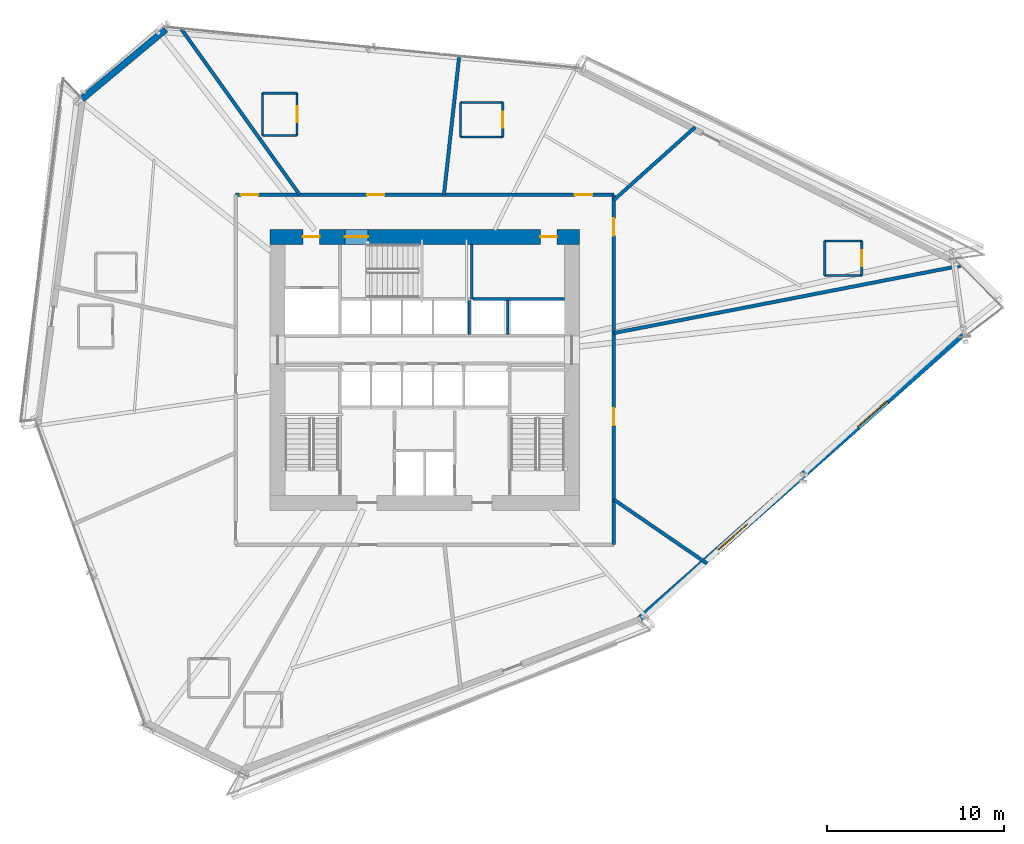
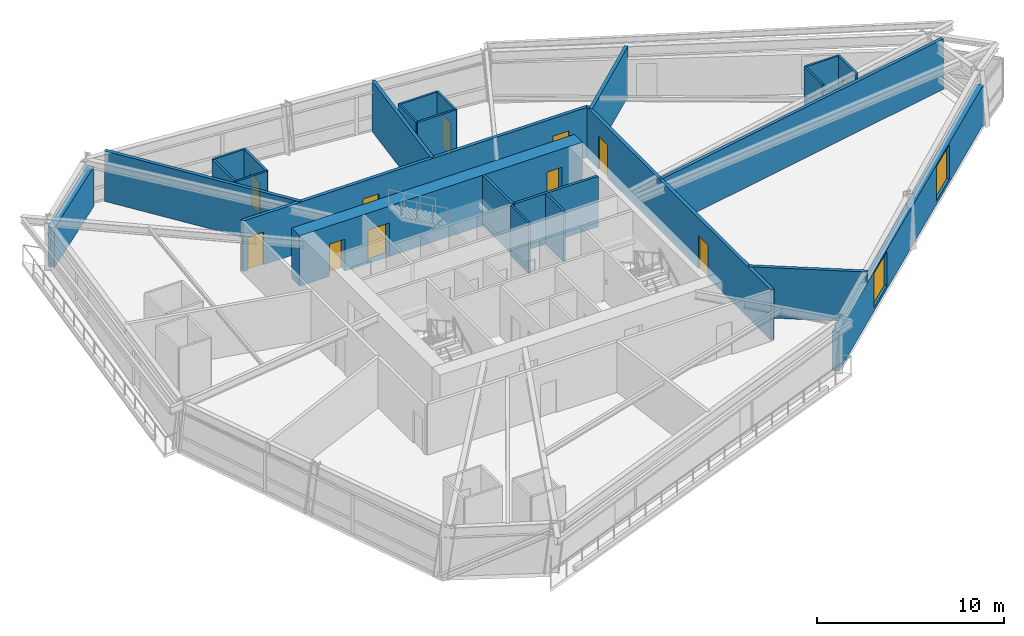
# One storey, part 19 of 24: 26 walls, 11 doors, 2 windows, 13 openings.
"""IFC4 building model written with IfcOpenShell, lengths in metres."""

from ifc_helpers import new_model, si_unit, direction, frame, frame_2d, origin, place, context, subcontext, project, spatial, rectangle, extrude, source, transform, mapped, material, layer, layer_set, type_object, type_shapes, element, fill, save


model = new_model("IFC4")

# Units and contexts
model_context = context("Model", 3, precision=1e-05, world=origin(), true_north=direction((0.0, 1.0)))
body_context = subcontext(model_context, "Body", "Model", "MODEL_VIEW")
ifc_project = project(units=[si_unit("LENGTHUNIT", "METRE"), si_unit("AREAUNIT", "SQUARE_METRE"), si_unit("VOLUMEUNIT", "CUBIC_METRE"), si_unit("PLANEANGLEUNIT", "RADIAN"), si_unit("MASSUNIT", "GRAM", prefix="KILO")], contexts=[model_context])

# Site, building, storey
site_placement = place(None, origin())
site = spatial("IfcSite", under=ifc_project, at=site_placement, CompositionType="ELEMENT")
building_placement = place(site_placement, origin())
building = spatial("IfcBuilding", under=site, at=building_placement, Name="Olszyna Solenne Hotel", CompositionType="ELEMENT")
storey_placement = place(building_placement, frame((0.0, 0.0, 64.800048828125)))
storey = spatial("IfcBuildingStorey", under=building, at=storey_placement, Name="L16", CompositionType="ELEMENT", Elevation=64.800048828125)

# Wall, openings, doors
ifc_material_1 = material(Name="Concrete C60/75", Category="concrete")
ifc_layer_1 = layer(ifc_material_1, 0.85009765625, Name="Concrete C60/75")
ifc_layer_set_1 = layer_set([ifc_layer_1], Name="Concrete C60/75")
wall_type_1 = type_object("IfcWallType", Name="WL-CR850", PredefinedType="SHEAR", material=ifc_layer_set_1)
wall_1_placement = place(storey_placement, frame((29.25, 34.125, 0.0), z_axis=(0.0, 0.0, 1.0), x_axis=(1.0, 0.0, 0.0)))
wall_1 = element("IfcWall", 1, at=wall_1_placement, inside=storey, type_object=wall_type_1, Name="Core shear wall WL-CR850 CRW-L16-N", PredefinedType="SHEAR", context=body_context, shape_type="SweptSolid", body=[
    extrude(rectangle(XDim=17.5, YDim=0.85009765625, at=frame_2d((8.75, 0.0))), origin(), (0.0, 0.0, 1.0), 3.300048828125),
])
opening_1_placement = place(wall_1_placement, frame((1.85009765625, 0.0, 0.0)))
opening_1 = element("IfcOpeningElement", 2, at=opening_1_placement, cuts=wall_1, Name="Opening SVD-L16-01", PredefinedType="OPENING", context=body_context, shape_type="SweptSolid", body=[
    extrude(rectangle(XDim=0.949951171875, YDim=2.10009765625, at=frame_2d((0.47509765625, 1.050048828125))), frame((0.0, 0.43505859375, 0.0), z_axis=(0.0, -1.0, 0.0), x_axis=(1.0, 0.0, 0.0)), (0.0, 0.0, 1.0), 0.8701171875),
])
opening_2_placement = place(wall_1_placement, frame((4.22998046875, 0.0, 0.0)))
opening_2 = element("IfcOpeningElement", 3, at=opening_2_placement, cuts=wall_1, Name="Opening STD-L16-03", PredefinedType="OPENING", context=body_context, shape_type="SweptSolid", body=[
    extrude(rectangle(XDim=1.320068359375, YDim=2.199951171875, at=frame_2d((0.66015625, 1.10009765625))), frame((0.0, 0.43505859375, 0.0), z_axis=(0.0, -1.0, 0.0), x_axis=(1.0, 0.0, 0.0)), (0.0, 0.0, 1.0), 0.8701171875),
])
opening_3_placement = place(wall_1_placement, frame((15.300048828125, 0.0, 0.0)))
opening_3 = element("IfcOpeningElement", 4, at=opening_3_placement, cuts=wall_1, Name="Opening SVD-L16-BN", PredefinedType="OPENING", context=body_context, shape_type="SweptSolid", body=[
    extrude(rectangle(XDim=0.949951171875, YDim=2.10009765625, at=frame_2d((0.47509765625, 1.050048828125))), frame((0.0, 0.43505859375, 0.0), z_axis=(0.0, -1.0, 0.0), x_axis=(1.0, 0.0, 0.0)), (0.0, 0.0, 1.0), 0.8701171875),
])
ifc_material_2 = material(Name="Steel S355J2", Category="steel")
door_type_1 = type_object("IfcDoorType", Name="DR-ST1", OperationType="NOTDEFINED", PredefinedType="DOOR", material=ifc_material_2)
shared_shape_1 = source(origin(), body_context, "Body", "SweptSolid", [
    extrude(rectangle(XDim=1.320068359375, YDim=2.199951171875, at=frame_2d((0.66015625, 1.10009765625))), frame((0.0, 0.02490234375, 0.0), z_axis=(0.0, -1.0, 0.0), x_axis=(1.0, 0.0, 0.0)), (0.0, 0.0, 1.0), 0.050048828125),
])
type_shapes(door_type_1, [shared_shape_1])
door_1_placement = place(opening_2_placement, origin())
door_1 = element("IfcDoor", 5, at=door_1_placement, inside=storey, type_object=door_type_1, Name="Pressurised exit stair ST3 fire door STD-L16-03", OperationType="SINGLE_SWING_RIGHT", OverallHeight=2.199951171875, OverallWidth=1.320068359375, PredefinedType="DOOR", context=body_context, shape_type="MappedRepresentation", body=[
    mapped(shared_shape_1, transform((0.0, 0.0, 0.0), x_axis=(1.0, 0.0, 0.0), y_axis=(0.0, 1.0, 0.0), z_axis=(0.0, 0.0, 1.0), scale=1.0)),
])
fill(opening_2, door_1)
door_type_2 = type_object("IfcDoorType", Name="DR-SV1", OperationType="NOTDEFINED", PredefinedType="DOOR", material=ifc_material_2)
shared_shape_2 = source(origin(), body_context, "Body", "SweptSolid", [
    extrude(rectangle(XDim=0.949951171875, YDim=2.10009765625, at=frame_2d((0.47509765625, 1.050048828125))), frame((0.0, 0.02490234375, 0.0), z_axis=(0.0, -1.0, 0.0), x_axis=(1.0, 0.0, 0.0)), (0.0, 0.0, 1.0), 0.050048828125),
])
type_shapes(door_type_2, [shared_shape_2])
door_2_placement = place(opening_1_placement, origin())
door_2 = element("IfcDoor", 6, at=door_2_placement, inside=storey, type_object=door_type_2, Name="Service lift lobby fire door SVD-L16-01", OperationType="SINGLE_SWING_LEFT", OverallHeight=2.10009765625, OverallWidth=0.949951171875, PredefinedType="DOOR", context=body_context, shape_type="MappedRepresentation", body=[
    mapped(shared_shape_2, transform((0.0, 0.0, 0.0), x_axis=(1.0, 0.0, 0.0), y_axis=(0.0, 1.0, 0.0), z_axis=(0.0, 0.0, 1.0), scale=1.0)),
])
fill(opening_1, door_2)
door_3_placement = place(opening_3_placement, origin())
door_3 = element("IfcDoor", 7, at=door_3_placement, inside=storey, type_object=door_type_2, Name="Housekeeping core fire door SVD-L16-BN", OperationType="SINGLE_SWING_LEFT", OverallHeight=2.10009765625, OverallWidth=0.949951171875, PredefinedType="DOOR", context=body_context, shape_type="MappedRepresentation", body=[
    mapped(shared_shape_2, transform((0.0, 0.0, 0.0), x_axis=(1.0, 0.0, 0.0), y_axis=(0.0, 1.0, 0.0), z_axis=(0.0, 0.0, 1.0), scale=1.0)),
])
fill(opening_3, door_3)

# Wall
ifc_material_3 = material(Name="Terracotta cladding on precast concrete C45/55", Category="masonry")
ifc_layer_2 = layer(ifc_material_3, 0.3798828125, Name="Terracotta cladding on precast concrete C45/55")
ifc_layer_set_2 = layer_set([ifc_layer_2], Name="Terracotta cladding on precast concrete C45/55")
wall_type_2 = type_object("IfcWallType", Name="WL-EX380", PredefinedType="SOLIDWALL", material=ifc_layer_set_2)
wall_2_placement = place(storey_placement, frame((18.6181640625, 41.92138671875, 0.0), z_axis=(0.0, 0.0, 1.0), x_axis=(0.768273310294, 0.640121957668, 0.0)))
element("IfcWall", 8, at=wall_2_placement, inside=storey, type_object=wall_type_2, Name="Exterior terracotta-precast frame wall WL-EX380 EW-L16-05", PredefinedType="SOLIDWALL", context=body_context, shape_type="SweptSolid", body=[
    extrude(rectangle(XDim=6.153564453125, YDim=0.3798828125, at=frame_2d((3.07666015625, 0.0))), origin(), (0.0, 0.0, 1.0), 2.592041015625),
])

# Wall, openings, windows
wall_3_placement = place(storey_placement, frame((68.431884765625, 28.615478515625, 0.0), z_axis=(0.0, 0.0, 1.0), x_axis=(-0.749537297232, -0.661962113763, 0.0)))
wall_3 = element("IfcWall", 9, at=wall_3_placement, inside=storey, type_object=wall_type_2, Name="Exterior terracotta-precast frame wall WL-EX380 EW-L16-10", PredefinedType="SOLIDWALL", context=body_context, shape_type="SweptSolid", body=[
    extrude(rectangle(XDim=24.351318359375, YDim=0.3798828125, at=frame_2d((12.17578125, 0.0))), origin(), (0.0, 0.0, 1.0), 2.592041015625),
])
opening_4_placement = place(wall_3_placement, frame((5.718017578125, 0.0, 0.221923828125)))
opening_4 = element("IfcOpeningElement", 10, at=opening_4_placement, cuts=wall_3, Name="Opening WN-L16-077", PredefinedType="OPENING", context=body_context, shape_type="SweptSolid", body=[
    extrude(rectangle(XDim=2.199951171875, YDim=2.25, at=frame_2d((1.10009765625, 1.125))), frame((0.0, 0.199951171875, 0.0), z_axis=(0.0, -1.0, 0.0), x_axis=(1.0, 0.0, 0.0)), (0.0, 0.0, 1.0), 0.39990234375),
])
opening_5_placement = place(wall_3_placement, frame((16.23291015625, 0.0, 0.221923828125)))
opening_5 = element("IfcOpeningElement", 11, at=opening_5_placement, cuts=wall_3, Name="Opening WN-L16-078", PredefinedType="OPENING", context=body_context, shape_type="SweptSolid", body=[
    extrude(rectangle(XDim=2.199951171875, YDim=2.25, at=frame_2d((1.10009765625, 1.125))), frame((0.0, 0.199951171875, 0.0), z_axis=(0.0, -1.0, 0.0), x_axis=(1.0, 0.0, 0.0)), (0.0, 0.0, 1.0), 0.39990234375),
])
ifc_material_4 = material(Name="Low-E triple glazing", Category="glass")
window_type = type_object("IfcWindowType", Name="WN-HT2", PartitioningType="SINGLE_PANEL", PredefinedType="WINDOW", material=ifc_material_4)
shared_shape_3 = source(origin(), body_context, "Body", "SweptSolid", [
    extrude(rectangle(XDim=2.199951171875, YDim=2.25, at=frame_2d((1.10009765625, 1.125))), frame((0.0, 0.030029296875, 0.0), z_axis=(0.0, -1.0, 0.0), x_axis=(1.0, 0.0, 0.0)), (0.0, 0.0, 1.0), 0.06005859375),
])
type_shapes(window_type, [shared_shape_3])
window_1_placement = place(opening_4_placement, origin())
window_1 = element("IfcWindow", 12, at=window_1_placement, inside=storey, type_object=window_type, Name="Exterior facade window WN-HT2 WN-L16-077", OverallHeight=2.25, OverallWidth=2.199951171875, PartitioningType="SINGLE_PANEL", PredefinedType="WINDOW", context=body_context, shape_type="MappedRepresentation", body=[
    mapped(shared_shape_3, transform((0.0, 0.0, 0.0), x_axis=(1.0, 0.0, 0.0), y_axis=(0.0, 1.0, 0.0), z_axis=(0.0, 0.0, 1.0), scale=1.0)),
])
fill(opening_4, window_1)
window_2_placement = place(opening_5_placement, origin())
window_2 = element("IfcWindow", 13, at=window_2_placement, inside=storey, type_object=window_type, Name="Exterior facade window WN-HT2 WN-L16-078", OverallHeight=2.25, OverallWidth=2.199951171875, PartitioningType="SINGLE_PANEL", PredefinedType="WINDOW", context=body_context, shape_type="MappedRepresentation", body=[
    mapped(shared_shape_3, transform((0.0, 0.0, 0.0), x_axis=(1.0, 0.0, 0.0), y_axis=(0.0, 1.0, 0.0), z_axis=(0.0, 0.0, 1.0), scale=1.0)),
])
fill(opening_5, window_2)

# Walls
ifc_material_5 = material(Name="Acoustic gypsum partition", Category="gypsum")
ifc_layer_3 = layer(ifc_material_5, 0.125, Name="Acoustic gypsum partition")
ifc_layer_set_3 = layer_set([ifc_layer_3], Name="Acoustic gypsum partition")
wall_type_3 = type_object("IfcWallType", Name="WL-PT125", PredefinedType="PARTITIONING", material=ifc_layer_set_3)
for number, where, z_axis, x_axis, name in (
    (14, (40.52490234375, 28.60009765625, 0.0), (0.0, 0.0, 1.0), (0.0, 1.0, 0.0), "Core shaft compartment wall CW-L16-DIVEX405"),
    (15, (42.699951171875, 28.60009765625, 0.0), (0.0, 0.0, 1.0), (0.0, 1.0, 0.0), "Core shaft compartment wall CW-L16-DIVEX427"),
):
    element("IfcWall", number, at=place(storey_placement, frame(where, z_axis=z_axis, x_axis=x_axis)), inside=storey, type_object=wall_type_3, Name=name, PredefinedType="PARTITIONING", context=body_context, shape_type="SweptSolid", body=[
        extrude(rectangle(XDim=1.919921875, YDim=0.125, at=frame_2d((0.9599609375, 0.0))), origin(), (0.0, 0.0, 1.0), 3.300048828125),
    ])

# Wall, opening, door
wall_4_placement = place(storey_placement, frame((42.422119140625, 39.76708984375, 0.0), z_axis=(0.0, 0.0, 1.0), x_axis=(0.0, 1.0, 0.0)))
wall_4 = element("IfcWall", 16, at=wall_4_placement, inside=storey, type_object=wall_type_3, Name="Interior acoustic partition WL-PT125 PW-L16-0912", PredefinedType="PARTITIONING", context=body_context, shape_type="SweptSolid", body=[
    extrude(rectangle(XDim=1.949951171875, YDim=0.125, at=frame_2d((0.97509765625, 0.0))), origin(), (0.0, 0.0, 1.0), 3.300048828125),
])
opening_6_placement = place(wall_4_placement, frame((0.52490234375, 0.0, 0.0)))
opening_6 = element("IfcOpeningElement", 17, at=opening_6_placement, cuts=wall_4, Name="Opening DR-L16-0204", PredefinedType="OPENING", context=body_context, shape_type="SweptSolid", body=[
    extrude(rectangle(XDim=0.89990234375, YDim=2.10009765625, at=frame_2d((0.449951171875, 1.050048828125))), frame((0.0, 0.072509765625, 0.0), z_axis=(0.0, -1.0, 0.0), x_axis=(1.0, 0.0, 0.0)), (0.0, 0.0, 1.0), 0.14501953125),
])
ifc_material_6 = material(Name="Timber hardwood", Category="wood")
door_type_3 = type_object("IfcDoorType", Name="DR-WC1", OperationType="NOTDEFINED", PredefinedType="DOOR", material=ifc_material_6)
shared_shape_4 = source(origin(), body_context, "Body", "SweptSolid", [
    extrude(rectangle(XDim=0.89990234375, YDim=2.10009765625, at=frame_2d((0.449951171875, 1.050048828125))), frame((0.0, 0.02490234375, 0.0), z_axis=(0.0, -1.0, 0.0), x_axis=(1.0, 0.0, 0.0)), (0.0, 0.0, 1.0), 0.050048828125),
])
type_shapes(door_type_3, [shared_shape_4])
door_4_placement = place(opening_6_placement, origin())
door_4 = element("IfcDoor", 18, at=door_4_placement, inside=storey, type_object=door_type_3, Name="En-Suite Bathroom Door DR-L16-0204", OperationType="SINGLE_SWING_LEFT", OverallHeight=2.10009765625, OverallWidth=0.89990234375, PredefinedType="DOOR", context=body_context, shape_type="MappedRepresentation", body=[
    mapped(shared_shape_4, transform((0.0, 0.0, 0.0), x_axis=(1.0, 0.0, 0.0), y_axis=(0.0, 1.0, 0.0), z_axis=(0.0, 0.0, 1.0), scale=1.0)),
])
fill(opening_6, door_4)

# Walls
wall_5_placement = place(storey_placement, frame((42.422119140625, 41.717041015625, 0.0), z_axis=(0.0, 0.0, 1.0), x_axis=(-1.0, 0.0, 0.0)))
element("IfcWall", 19, at=wall_5_placement, inside=storey, type_object=wall_type_3, Name="Interior acoustic partition WL-PT125 PW-L16-0913", PredefinedType="PARTITIONING", context=body_context, shape_type="SweptSolid", body=[
    extrude(rectangle(XDim=2.400146484375, YDim=0.125, at=frame_2d((1.2001953125, 0.0))), origin(), (0.0, 0.0, 1.0), 3.300048828125),
])
wall_6_placement = place(storey_placement, frame((40.02197265625, 41.717041015625, 0.0), z_axis=(0.0, 0.0, 1.0), x_axis=(0.0, -1.0, 0.0)))
element("IfcWall", 20, at=wall_6_placement, inside=storey, type_object=wall_type_3, Name="Interior acoustic partition WL-PT125 PW-L16-0914", PredefinedType="PARTITIONING", context=body_context, shape_type="SweptSolid", body=[
    extrude(rectangle(XDim=1.949951171875, YDim=0.125, at=frame_2d((0.97509765625, 0.0))), origin(), (0.0, 0.0, 1.0), 3.300048828125),
])
wall_7_placement = place(storey_placement, frame((40.02197265625, 39.76708984375, 0.0), z_axis=(0.0, 0.0, 1.0), x_axis=(1.0, 0.0, 0.0)))
element("IfcWall", 21, at=wall_7_placement, inside=storey, type_object=wall_type_3, Name="Interior acoustic partition WL-PT125 PW-L16-0915", PredefinedType="PARTITIONING", context=body_context, shape_type="SweptSolid", body=[
    extrude(rectangle(XDim=2.400146484375, YDim=0.125, at=frame_2d((1.2001953125, 0.0))), origin(), (0.0, 0.0, 1.0), 3.300048828125),
])

# Wall, opening, door
wall_8_placement = place(storey_placement, frame((30.780029296875, 39.85107421875, 0.0), z_axis=(0.0, 0.0, 1.0), x_axis=(0.0, 1.0, 0.0)))
wall_8 = element("IfcWall", 22, at=wall_8_placement, inside=storey, type_object=wall_type_3, Name="Interior acoustic partition WL-PT125 PW-L16-0916", PredefinedType="PARTITIONING", context=body_context, shape_type="SweptSolid", body=[
    extrude(rectangle(XDim=2.39990234375, YDim=0.125, at=frame_2d((1.199951171875, 0.0))), origin(), (0.0, 0.0, 1.0), 3.300048828125),
])
opening_7_placement = place(wall_8_placement, frame((0.75, 0.0, 0.0)))
opening_7 = element("IfcOpeningElement", 23, at=opening_7_placement, cuts=wall_8, Name="Opening DR-L16-0205", PredefinedType="OPENING", context=body_context, shape_type="SweptSolid", body=[
    extrude(rectangle(XDim=0.89990234375, YDim=2.10009765625, at=frame_2d((0.449951171875, 1.050048828125))), frame((0.0, 0.072509765625, 0.0), z_axis=(0.0, -1.0, 0.0), x_axis=(1.0, 0.0, 0.0)), (0.0, 0.0, 1.0), 0.14501953125),
])
door_5_placement = place(opening_7_placement, origin())
door_5 = element("IfcDoor", 24, at=door_5_placement, inside=storey, type_object=door_type_3, Name="En-Suite Bathroom Door DR-L16-0205", OperationType="SINGLE_SWING_LEFT", OverallHeight=2.10009765625, OverallWidth=0.89990234375, PredefinedType="DOOR", context=body_context, shape_type="MappedRepresentation", body=[
    mapped(shared_shape_4, transform((0.0, 0.0, 0.0), x_axis=(1.0, 0.0, 0.0), y_axis=(0.0, 1.0, 0.0), z_axis=(0.0, 0.0, 1.0), scale=1.0)),
])
fill(opening_7, door_5)

# Walls
wall_9_placement = place(storey_placement, frame((30.780029296875, 42.2509765625, 0.0), z_axis=(0.0, 0.0, 1.0), x_axis=(-1.0, 0.0, 0.0)))
element("IfcWall", 25, at=wall_9_placement, inside=storey, type_object=wall_type_3, Name="Interior acoustic partition WL-PT125 PW-L16-0917", PredefinedType="PARTITIONING", context=body_context, shape_type="SweptSolid", body=[
    extrude(rectangle(XDim=1.949951171875, YDim=0.125, at=frame_2d((0.97509765625, 0.0))), origin(), (0.0, 0.0, 1.0), 3.300048828125),
])
wall_10_placement = place(storey_placement, frame((28.830078125, 42.2509765625, 0.0), z_axis=(0.0, 0.0, 1.0), x_axis=(0.0, -1.0, 0.0)))
element("IfcWall", 26, at=wall_10_placement, inside=storey, type_object=wall_type_3, Name="Interior acoustic partition WL-PT125 PW-L16-0918", PredefinedType="PARTITIONING", context=body_context, shape_type="SweptSolid", body=[
    extrude(rectangle(XDim=2.39990234375, YDim=0.125, at=frame_2d((1.199951171875, 0.0))), origin(), (0.0, 0.0, 1.0), 3.300048828125),
])
wall_11_placement = place(storey_placement, frame((28.830078125, 39.85107421875, 0.0), z_axis=(0.0, 0.0, 1.0), x_axis=(1.0, 0.0, 0.0)))
element("IfcWall", 27, at=wall_11_placement, inside=storey, type_object=wall_type_3, Name="Interior acoustic partition WL-PT125 PW-L16-0919", PredefinedType="PARTITIONING", context=body_context, shape_type="SweptSolid", body=[
    extrude(rectangle(XDim=1.949951171875, YDim=0.125, at=frame_2d((0.97509765625, 0.0))), origin(), (0.0, 0.0, 1.0), 3.300048828125),
])

# Wall, opening, door
wall_12_placement = place(storey_placement, frame((62.73095703125, 31.93310546875, 0.0), z_axis=(0.0, 0.0, 1.0), x_axis=(0.0, 1.0, 0.0)))
wall_12 = element("IfcWall", 28, at=wall_12_placement, inside=storey, type_object=wall_type_3, Name="Interior acoustic partition WL-PT125 PW-L16-0936", PredefinedType="PARTITIONING", context=body_context, shape_type="SweptSolid", body=[
    extrude(rectangle(XDim=1.949951171875, YDim=0.125, at=frame_2d((0.97509765625, 0.0))), origin(), (0.0, 0.0, 1.0), 3.300048828125),
])
opening_8_placement = place(wall_12_placement, frame((0.52490234375, 0.0, 0.0)))
opening_8 = element("IfcOpeningElement", 29, at=opening_8_placement, cuts=wall_12, Name="Opening DR-L16-0210", PredefinedType="OPENING", context=body_context, shape_type="SweptSolid", body=[
    extrude(rectangle(XDim=0.89990234375, YDim=2.10009765625, at=frame_2d((0.449951171875, 1.050048828125))), frame((0.0, 0.072509765625, 0.0), z_axis=(0.0, -1.0, 0.0), x_axis=(1.0, 0.0, 0.0)), (0.0, 0.0, 1.0), 0.14501953125),
])
door_6_placement = place(opening_8_placement, origin())
door_6 = element("IfcDoor", 30, at=door_6_placement, inside=storey, type_object=door_type_3, Name="En-Suite Bathroom Door DR-L16-0210", OperationType="SINGLE_SWING_LEFT", OverallHeight=2.10009765625, OverallWidth=0.89990234375, PredefinedType="DOOR", context=body_context, shape_type="MappedRepresentation", body=[
    mapped(shared_shape_4, transform((0.0, 0.0, 0.0), x_axis=(1.0, 0.0, 0.0), y_axis=(0.0, 1.0, 0.0), z_axis=(0.0, 0.0, 1.0), scale=1.0)),
])
fill(opening_8, door_6)

# Walls
wall_13_placement = place(storey_placement, frame((62.73095703125, 33.883056640625, 0.0), z_axis=(0.0, 0.0, 1.0), x_axis=(-1.0, 0.0, 0.0)))
element("IfcWall", 31, at=wall_13_placement, inside=storey, type_object=wall_type_3, Name="Interior acoustic partition WL-PT125 PW-L16-0937", PredefinedType="PARTITIONING", context=body_context, shape_type="SweptSolid", body=[
    extrude(rectangle(XDim=2.099853515625, YDim=0.125, at=frame_2d((1.0498046875, 0.0))), origin(), (0.0, 0.0, 1.0), 3.300048828125),
])
wall_14_placement = place(storey_placement, frame((60.631103515625, 33.883056640625, 0.0), z_axis=(0.0, 0.0, 1.0), x_axis=(0.0, -1.0, 0.0)))
element("IfcWall", 32, at=wall_14_placement, inside=storey, type_object=wall_type_3, Name="Interior acoustic partition WL-PT125 PW-L16-0938", PredefinedType="PARTITIONING", context=body_context, shape_type="SweptSolid", body=[
    extrude(rectangle(XDim=1.949951171875, YDim=0.125, at=frame_2d((0.97509765625, 0.0))), origin(), (0.0, 0.0, 1.0), 3.300048828125),
])
wall_15_placement = place(storey_placement, frame((60.631103515625, 31.93310546875, 0.0), z_axis=(0.0, 0.0, 1.0), x_axis=(1.0, 0.0, 0.0)))
element("IfcWall", 33, at=wall_15_placement, inside=storey, type_object=wall_type_3, Name="Interior acoustic partition WL-PT125 PW-L16-0939", PredefinedType="PARTITIONING", context=body_context, shape_type="SweptSolid", body=[
    extrude(rectangle(XDim=2.099853515625, YDim=0.125, at=frame_2d((1.0498046875, 0.0))), origin(), (0.0, 0.0, 1.0), 2.794921875),
])
ifc_layer_4 = layer(ifc_material_5, 0.159912109375, Name="Acoustic gypsum partition")
ifc_layer_set_4 = layer_set([ifc_layer_4], Name="Acoustic gypsum partition")
wall_type_4 = type_object("IfcWallType", Name="WL-PT160", PredefinedType="PARTITIONING", material=ifc_layer_set_4)
wall_16_placement = place(storey_placement, frame((40.659912109375, 30.60009765625, 0.0), z_axis=(0.0, 0.0, 1.0), x_axis=(0.0, 1.0, 0.0)))
element("IfcWall", 34, at=wall_16_placement, inside=storey, type_object=wall_type_4, Name="Core shaft compartment wall CW-L16-ST3E", PredefinedType="PARTITIONING", context=body_context, shape_type="SweptSolid", body=[
    extrude(rectangle(XDim=3.099853515625, YDim=0.159912109375, at=frame_2d((1.5498046875, 0.0))), origin(), (0.0, 0.0, 1.0), 3.300048828125),
])
wall_17_placement = place(storey_placement, frame((40.719970703125, 30.60009765625, 0.0), z_axis=(0.0, 0.0, 1.0), x_axis=(1.0, 0.0, 0.0)))
element("IfcWall", 35, at=wall_17_placement, inside=storey, type_object=wall_type_4, Name="Core shaft compartment wall CW-L16-LRNTOP", PredefinedType="PARTITIONING", context=body_context, shape_type="SweptSolid", body=[
    extrude(rectangle(XDim=5.179931640625, YDim=0.159912109375, at=frame_2d((2.58984375, 0.0))), origin(), (0.0, 0.0, 1.0), 3.300048828125),
])
ifc_layer_5 = layer(ifc_material_5, 0.199951171875, Name="Acoustic gypsum partition")
ifc_layer_set_5 = layer_set([ifc_layer_5], Name="Acoustic gypsum partition")
wall_type_5 = type_object("IfcWallType", Name="WL-PT200", PredefinedType="PARTITIONING", material=ifc_layer_set_5)
wall_18_placement = place(storey_placement, frame((48.699951171875, 36.20068359375, 0.0), z_axis=(0.0, 0.0, 1.0), x_axis=(0.744315723631, 0.667827899653, 0.0)))
element("IfcWall", 36, at=wall_18_placement, inside=storey, type_object=wall_type_5, Name="Interior acoustic partition WL-PT200 PW-L16-0903", PredefinedType="PARTITIONING", context=body_context, shape_type="SweptSolid", body=[
    extrude(rectangle(XDim=6.185791015625, YDim=0.199951171875, at=frame_2d((3.0927734375, 0.0))), origin(), (0.0, 0.0, 1.0), 3.300048828125),
])
wall_19_placement = place(storey_placement, frame((39.08984375, 36.5, 0.0), z_axis=(0.0, 0.0, 1.0), x_axis=(0.109405527684, 0.993997198443, 0.0)))
element("IfcWall", 37, at=wall_19_placement, inside=storey, type_object=wall_type_5, Name="Interior acoustic partition WL-PT200 PW-L16-0904", PredefinedType="PARTITIONING", context=body_context, shape_type="SweptSolid", body=[
    extrude(rectangle(XDim=7.861572265625, YDim=0.199951171875, at=frame_2d((3.9306640625, 0.0))), origin(), (0.0, 0.0, 1.0), 3.300048828125),
])
wall_20_placement = place(storey_placement, frame((30.928955078125, 36.5, 0.0), z_axis=(0.0, 0.0, 1.0), x_axis=(-0.581222159054, 0.8137449243, 0.0)))
element("IfcWall", 38, at=wall_20_placement, inside=storey, type_object=wall_type_5, Name="Interior acoustic partition WL-PT200 PW-L16-0905", PredefinedType="PARTITIONING", context=body_context, shape_type="SweptSolid", body=[
    extrude(rectangle(XDim=11.522216796875, YDim=0.199951171875, at=frame_2d((5.76123046875, 0.0))), origin(), (0.0, 0.0, 1.0), 3.300048828125),
])
wall_21_placement = place(storey_placement, frame((48.699951171875, 19.256103515625, 0.0), z_axis=(0.0, 0.0, 1.0), x_axis=(0.824484731909, -0.565884199152, 0.0)))
element("IfcWall", 39, at=wall_21_placement, inside=storey, type_object=wall_type_5, Name="Interior acoustic partition WL-PT200 PW-L16-0910", PredefinedType="PARTITIONING", context=body_context, shape_type="SweptSolid", body=[
    extrude(rectangle(XDim=6.39892578125, YDim=0.199951171875, at=frame_2d((3.199462890625, 0.0))), origin(), (0.0, 0.0, 1.0), 3.300048828125),
])
wall_22_placement = place(storey_placement, frame((48.699951171875, 28.677978515625, 0.0), z_axis=(0.0, 0.0, 1.0), x_axis=(0.981655464167, 0.190663446082, 0.0)))
element("IfcWall", 40, at=wall_22_placement, inside=storey, type_object=wall_type_5, Name="Interior acoustic partition WL-PT200 PW-L16-0911", PredefinedType="PARTITIONING", context=body_context, shape_type="SweptSolid", body=[
    extrude(rectangle(XDim=19.995849609375, YDim=0.199951171875, at=frame_2d((9.998046875, 0.0))), origin(), (0.0, 0.0, 1.0), 3.300048828125),
])

# Wall, openings, doors
wall_23_placement = place(storey_placement, frame((27.300048828125, 36.5, 0.0), z_axis=(0.0, 0.0, 1.0), x_axis=(1.0, 0.0, 0.0)))
wall_23 = element("IfcWall", 41, at=wall_23_placement, inside=storey, type_object=wall_type_5, Name="Interior acoustic partition WL-PT200 PW-L16-0942", PredefinedType="PARTITIONING", context=body_context, shape_type="SweptSolid", body=[
    extrude(rectangle(XDim=21.39990234375, YDim=0.199951171875, at=frame_2d((10.699951171875, 0.0))), origin(), (0.0, 0.0, 1.0), 3.300048828125),
])
opening_9_placement = place(wall_23_placement, frame((19.201904296875, 0.0, 0.0)))
opening_9 = element("IfcOpeningElement", 42, at=opening_9_placement, cuts=wall_23, Name="Opening DR-L16-0215", PredefinedType="OPENING", context=body_context, shape_type="SweptSolid", body=[
    extrude(rectangle(XDim=0.97998046875, YDim=2.14990234375, at=frame_2d((0.489990234375, 1.074951171875))), frame((0.0, 0.10986328125, 0.0), z_axis=(0.0, -1.0, 0.0), x_axis=(1.0, 0.0, 0.0)), (0.0, 0.0, 1.0), 0.219970703125),
])
opening_10_placement = place(wall_23_placement, frame((7.43505859375, 0.0, 0.0)))
opening_10 = element("IfcOpeningElement", 43, at=opening_10_placement, cuts=wall_23, Name="Opening DR-L16-0216", PredefinedType="OPENING", context=body_context, shape_type="SweptSolid", body=[
    extrude(rectangle(XDim=0.97998046875, YDim=2.14990234375, at=frame_2d((0.489990234375, 1.074951171875))), frame((0.0, 0.10986328125, 0.0), z_axis=(0.0, -1.0, 0.0), x_axis=(1.0, 0.0, 0.0)), (0.0, 0.0, 1.0), 0.219970703125),
])
opening_11_placement = place(wall_23_placement, frame((0.300048828125, 0.0, 0.0)))
opening_11 = element("IfcOpeningElement", 44, at=opening_11_placement, cuts=wall_23, Name="Opening DR-L16-0217", PredefinedType="OPENING", context=body_context, shape_type="SweptSolid", body=[
    extrude(rectangle(XDim=0.97998046875, YDim=2.14990234375, at=frame_2d((0.489990234375, 1.074951171875))), frame((0.0, 0.10986328125, 0.0), z_axis=(0.0, -1.0, 0.0), x_axis=(1.0, 0.0, 0.0)), (0.0, 0.0, 1.0), 0.219970703125),
])
door_type_4 = type_object("IfcDoorType", Name="DR-RM1", OperationType="NOTDEFINED", PredefinedType="DOOR", material=ifc_material_6)
shared_shape_5 = source(origin(), body_context, "Body", "SweptSolid", [
    extrude(rectangle(XDim=0.97998046875, YDim=2.14990234375, at=frame_2d((0.489990234375, 1.074951171875))), frame((0.0, 0.02490234375, 0.0), z_axis=(0.0, -1.0, 0.0), x_axis=(1.0, 0.0, 0.0)), (0.0, 0.0, 1.0), 0.050048828125),
])
type_shapes(door_type_4, [shared_shape_5])
door_7_placement = place(opening_9_placement, origin())
door_7 = element("IfcDoor", 45, at=door_7_placement, inside=storey, type_object=door_type_4, Name="Premier King Suite Entrance Door DR-L16-0215", OperationType="SINGLE_SWING_LEFT", OverallHeight=2.14990234375, OverallWidth=0.97998046875, PredefinedType="DOOR", context=body_context, shape_type="MappedRepresentation", body=[
    mapped(shared_shape_5, transform((0.0, 0.0, 0.0), x_axis=(1.0, 0.0, 0.0), y_axis=(0.0, 1.0, 0.0), z_axis=(0.0, 0.0, 1.0), scale=1.0)),
])
fill(opening_9, door_7)
door_8_placement = place(opening_10_placement, origin())
door_8 = element("IfcDoor", 46, at=door_8_placement, inside=storey, type_object=door_type_4, Name="Premier King Suite Entrance Door DR-L16-0216", OperationType="SINGLE_SWING_RIGHT", OverallHeight=2.14990234375, OverallWidth=0.97998046875, PredefinedType="DOOR", context=body_context, shape_type="MappedRepresentation", body=[
    mapped(shared_shape_5, transform((0.0, 0.0, 0.0), x_axis=(1.0, 0.0, 0.0), y_axis=(0.0, 1.0, 0.0), z_axis=(0.0, 0.0, 1.0), scale=1.0)),
])
fill(opening_10, door_8)
door_9_placement = place(opening_11_placement, origin())
door_9 = element("IfcDoor", 47, at=door_9_placement, inside=storey, type_object=door_type_4, Name="Premier King Suite Entrance Door DR-L16-0217", OperationType="SINGLE_SWING_LEFT", OverallHeight=2.14990234375, OverallWidth=0.97998046875, PredefinedType="DOOR", context=body_context, shape_type="MappedRepresentation", body=[
    mapped(shared_shape_5, transform((0.0, 0.0, 0.0), x_axis=(1.0, 0.0, 0.0), y_axis=(0.0, 1.0, 0.0), z_axis=(0.0, 0.0, 1.0), scale=1.0)),
])
fill(opening_11, door_9)

wall_24_placement = place(storey_placement, frame((48.699951171875, 16.699951171875, 0.0), z_axis=(0.0, 0.0, 1.0), x_axis=(0.0, 1.0, 0.0)))
wall_24 = element("IfcWall", 48, at=wall_24_placement, inside=storey, type_object=wall_type_5, Name="Interior acoustic partition WL-PT200 PW-L16-0943", PredefinedType="PARTITIONING", context=body_context, shape_type="SweptSolid", body=[
    extrude(rectangle(XDim=19.800048828125, YDim=0.199951171875, at=frame_2d((9.89990234375, 0.0))), origin(), (0.0, 0.0, 1.0), 3.300048828125),
])
opening_12_placement = place(wall_24_placement, frame((6.751953125, 0.0, 0.0)))
opening_12 = element("IfcOpeningElement", 49, at=opening_12_placement, cuts=wall_24, Name="Opening DR-L16-0218", PredefinedType="OPENING", context=body_context, shape_type="SweptSolid", body=[
    extrude(rectangle(XDim=0.97998046875, YDim=2.14990234375, at=frame_2d((0.489990234375, 1.074951171875))), frame((0.0, 0.10986328125, 0.0), z_axis=(0.0, -1.0, 0.0), x_axis=(1.0, 0.0, 0.0)), (0.0, 0.0, 1.0), 0.219970703125),
])
opening_13_placement = place(wall_24_placement, frame((17.487060546875, 0.0, 0.0)))
opening_13 = element("IfcOpeningElement", 50, at=opening_13_placement, cuts=wall_24, Name="Opening DR-L16-0219", PredefinedType="OPENING", context=body_context, shape_type="SweptSolid", body=[
    extrude(rectangle(XDim=0.97998046875, YDim=2.14990234375, at=frame_2d((0.489990234375, 1.074951171875))), frame((0.0, 0.10986328125, 0.0), z_axis=(0.0, -1.0, 0.0), x_axis=(1.0, 0.0, 0.0)), (0.0, 0.0, 1.0), 0.219970703125),
])
door_10_placement = place(opening_12_placement, origin())
door_10 = element("IfcDoor", 51, at=door_10_placement, inside=storey, type_object=door_type_4, Name="Boutique Art Gallery Entrance Door DR-L16-0218", OperationType="SINGLE_SWING_RIGHT", OverallHeight=2.14990234375, OverallWidth=0.97998046875, PredefinedType="DOOR", context=body_context, shape_type="MappedRepresentation", body=[
    mapped(shared_shape_5, transform((0.0, 0.0, 0.0), x_axis=(1.0, 0.0, 0.0), y_axis=(0.0, 1.0, 0.0), z_axis=(0.0, 0.0, 1.0), scale=1.0)),
])
fill(opening_12, door_10)
door_11_placement = place(opening_13_placement, origin())
door_11 = element("IfcDoor", 52, at=door_11_placement, inside=storey, type_object=door_type_4, Name="Executive Reading Salon Entrance Door DR-L16-0219", OperationType="SINGLE_SWING_LEFT", OverallHeight=2.14990234375, OverallWidth=0.97998046875, PredefinedType="DOOR", context=body_context, shape_type="MappedRepresentation", body=[
    mapped(shared_shape_5, transform((0.0, 0.0, 0.0), x_axis=(1.0, 0.0, 0.0), y_axis=(0.0, 1.0, 0.0), z_axis=(0.0, 0.0, 1.0), scale=1.0)),
])
fill(opening_13, door_11)

save(model, "model.ifc")
